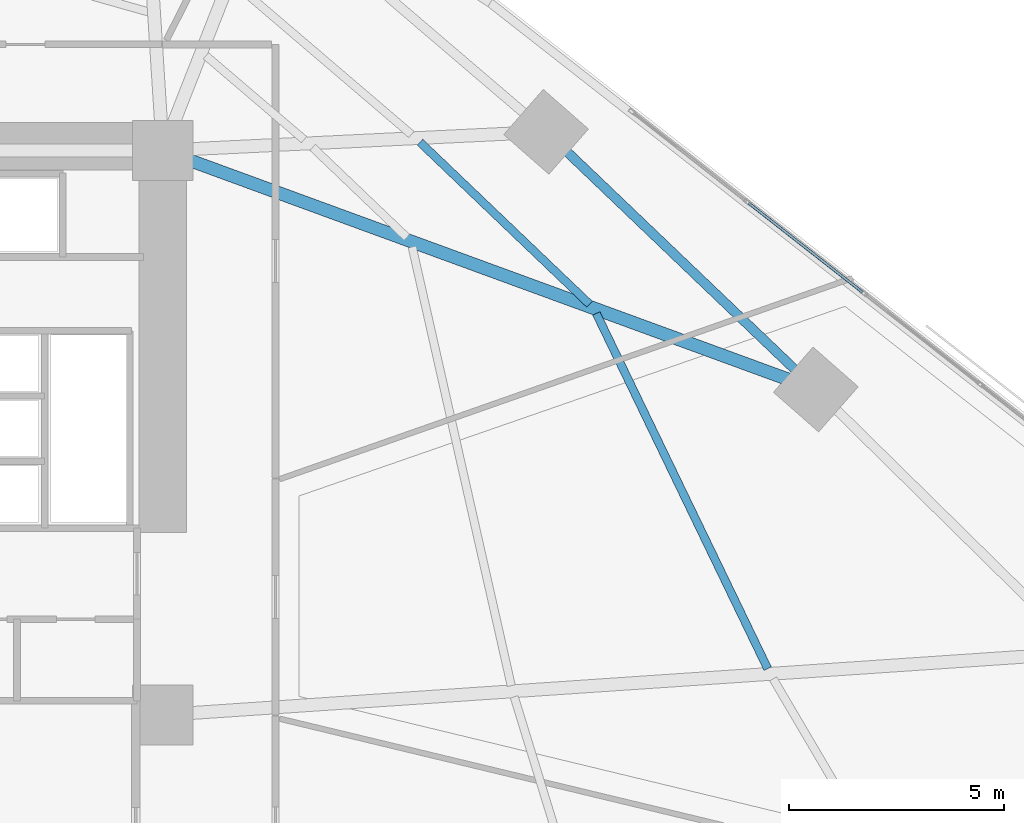
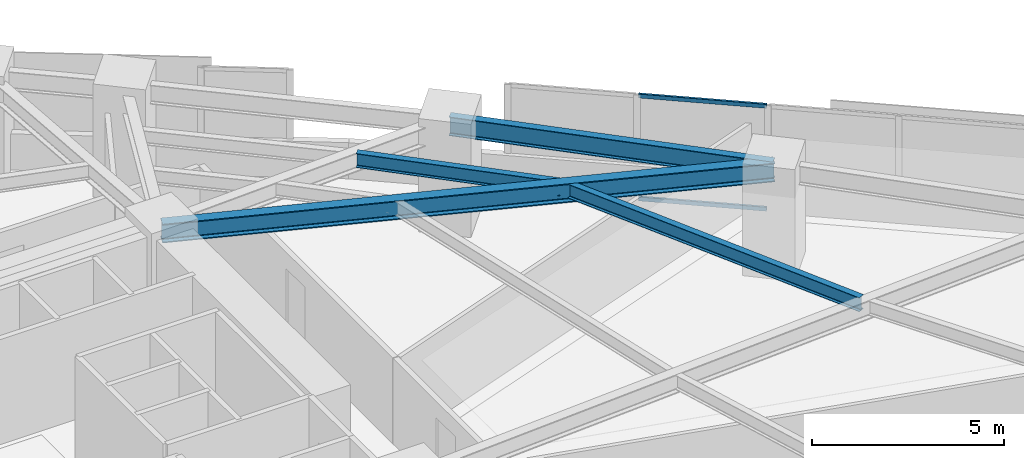
# One storey, part 6 of 16: 4 beams, 2 members, 1 element without a shape of its own.
"""IFC4 building model written with IfcOpenShell, lengths in metres."""

from ifc_helpers import new_model, si_unit, direction, frame, origin, origin_2d, place, context, subcontext, project, spatial, hollow_rectangle, i_section, extrude, material, material_profile, profile_set, type_object, element, aggregate, save


model = new_model("IFC4")

# Units and contexts
model_context = context("Model", 3, precision=1e-05, world=origin(), true_north=direction((0.0, 1.0)))
body_context = subcontext(model_context, "Body", "Model", "MODEL_VIEW")
ifc_project = project(units=[si_unit("LENGTHUNIT", "METRE"), si_unit("AREAUNIT", "SQUARE_METRE"), si_unit("VOLUMEUNIT", "CUBIC_METRE"), si_unit("PLANEANGLEUNIT", "RADIAN"), si_unit("MASSUNIT", "GRAM", prefix="KILO")], contexts=[model_context])

# Site, building, storey
site_placement = place(None, origin())
site = spatial("IfcSite", under=ifc_project, at=site_placement, CompositionType="ELEMENT")
building_placement = place(site_placement, origin())
building = spatial("IfcBuilding", under=site, at=building_placement, Name="Narakoshi Arena Tower", CompositionType="ELEMENT")
storey_placement = place(building_placement, frame((0.0, 0.0, 84.89990234375)))
storey = spatial("IfcBuildingStorey", under=building, at=storey_placement, Name="L22", CompositionType="ELEMENT", Elevation=84.89990234375)

# Beams
ifc_material_1 = material(Name="Structural steel S355J2", Category="steel")
ifc_material_profile_1 = material_profile(ifc_material_1, i_section(OverallWidth=0.219970703125, OverallDepth=0.60009765625, WebThickness=0.011962890625, FlangeThickness=0.01904296875, FilletRadius=0.02392578125, at=origin_2d()), Name="IPE600")
ifc_profile_set_1 = profile_set([ifc_material_profile_1], Name="Structural steel S355J2")
beam_type_1 = type_object("IfcBeamType", Name="BM-EDGE-600", PredefinedType="BEAM", material=ifc_profile_set_1)
beam_1_placement = place(storey_placement, frame((100.76318359375, 50.931640625, 3.0400390625), z_axis=(-0.723088904438, 0.690754975572, 0.0), x_axis=(-0.690754975572, -0.723088904438, 0.0)))
element("IfcBeam", 1, at=beam_1_placement, inside=storey, type_object=beam_type_1, Name="L22 Perimeter Edge Girder 07", PredefinedType="BEAM", context=body_context, shape_type="SweptSolid", body=[
    extrude(i_section(OverallWidth=0.219970703125, OverallDepth=0.60009765625, WebThickness=0.011962890625, FlangeThickness=0.01904296875, FilletRadius=0.02392578125, at=origin_2d()), origin(), (0.0, 0.0, 1.0), 8.690673828125),
])
ifc_material_profile_2 = material_profile(ifc_material_1, i_section(OverallWidth=0.300048828125, OverallDepth=0.60009765625, WebThickness=0.015380859375, FlangeThickness=0.030029296875, FilletRadius=0.027099609375, at=origin_2d()), Name="HE600B")
ifc_profile_set_2 = profile_set([ifc_material_profile_2], Name="Structural steel S355J2")
beam_type_2 = type_object("IfcBeamType", Name="BM-PRI-600", PredefinedType="BEAM", material=ifc_profile_set_2)
beam_2_placement = place(storey_placement, frame((85.550048828125, 56.5, 3.0400390625), z_axis=(0.939071487396, -0.343721895664, 0.0), x_axis=(0.343721895664, 0.939071487396, 0.0)))
element("IfcBeam", 2, at=beam_2_placement, inside=storey, type_object=beam_type_2, Name="L22 Radial Primary Floor Girder 07", PredefinedType="BEAM", context=body_context, shape_type="SweptSolid", body=[
    extrude(i_section(OverallWidth=0.300048828125, OverallDepth=0.60009765625, WebThickness=0.015380859375, FlangeThickness=0.030029296875, FilletRadius=0.027099609375, at=origin_2d()), origin(), (0.0, 0.0, 1.0), 16.2001953125),
])
ifc_material_profile_3 = material_profile(ifc_material_1, i_section(OverallWidth=0.18994140625, OverallDepth=0.449951171875, WebThickness=0.009521484375, FlangeThickness=0.0146484375, FilletRadius=0.02099609375, at=origin_2d()), Name="IPE450")
ifc_profile_set_3 = profile_set([ifc_material_profile_3], Name="Structural steel S355J2")
beam_type_3 = type_object("IfcBeamType", Name="BM-SEC-450", PredefinedType="JOIST", material=ifc_profile_set_3)
beam_3_placement = place(storey_placement, frame((99.6416015625, 44.428955078125, 3.114990234375), z_axis=(-0.434540970974, 0.900652066308, 0.0), x_axis=(-0.900652066308, -0.434540970974, 0.0)))
element("IfcBeam", 3, at=beam_3_placement, inside=storey, type_object=beam_type_3, Name="L22 Composite Secondary Floor Joist 04", PredefinedType="JOIST", context=body_context, shape_type="SweptSolid", body=[
    extrude(i_section(OverallWidth=0.18994140625, OverallDepth=0.449951171875, WebThickness=0.009521484375, FlangeThickness=0.0146484375, FilletRadius=0.02099609375, at=origin_2d()), origin(), (0.0, 0.0, 1.0), 9.187255859375),
])
beam_4_placement = place(storey_placement, frame((95.4931640625, 52.918212890625, 3.114990234375), z_axis=(-0.723113139165, 0.690729605538, 0.0), x_axis=(-0.690729605538, -0.723113139165, 0.0)))
element("IfcBeam", 4, at=beam_4_placement, inside=storey, type_object=beam_type_3, Name="L22 Composite Secondary Floor Joist 06", PredefinedType="JOIST", context=body_context, shape_type="SweptSolid", body=[
    extrude(i_section(OverallWidth=0.18994140625, OverallDepth=0.449951171875, WebThickness=0.009521484375, FlangeThickness=0.0146484375, FilletRadius=0.02099609375, at=origin_2d()), origin(), (0.0, 0.0, 1.0), 5.4658203125),
])

# Curtain wall, members
ifc_material_2 = material(Name="Anodised bronze aluminium 6063-T6", Category="aluminium")
curtain_wall_type = type_object("IfcCurtainWallType", Name="CW-HYP-LOW", PredefinedType="NOTDEFINED", material=ifc_material_2)
curtain_wall_placement = place(storey_placement, origin())
curtain_wall = element("IfcCurtainWall", 5, at=curtain_wall_placement, inside=storey, type_object=curtain_wall_type, Name="L22 Folded Hypotenuse Curtain Wall 1-1", PredefinedType="NOTDEFINED")
ifc_material_profile_4 = material_profile(ifc_material_2, hollow_rectangle(XDim=0.06494140625, YDim=0.1298828125, WallThickness=0.00390625, OuterFilletRadius=0.0048828125, at=origin_2d()), Name="TRN130x65x4")
ifc_profile_set_4 = profile_set([ifc_material_profile_4], Name="Anodised bronze aluminium 6063-T6")
member_type = type_object("IfcMemberType", Name="MEM-TRN-130", PredefinedType="USERDEFINED", material=ifc_profile_set_4)
member_1_placement = place(storey_placement, frame((101.851806640625, 53.196533203125, 0.03271484375), z_axis=(-0.787400998112, 0.616441131149, 0.0), x_axis=(-0.616441131149, -0.787400998112, 0.0)))
member_1 = element("IfcMember", 6, at=member_1_placement, type_object=member_type, Name="CW-01 transom 8.1", ObjectType="TRANSOM", PredefinedType="USERDEFINED", context=body_context, shape_type="SweptSolid", body=[
    extrude(hollow_rectangle(XDim=0.06494140625, YDim=0.1298828125, WallThickness=0.00390625, OuterFilletRadius=0.0048828125, at=origin_2d()), origin(), (0.0, 0.0, 1.0), 3.368896484375),
])
member_2_placement = place(storey_placement, frame((101.851806640625, 53.196533203125, 3.3076171875), z_axis=(-0.787400998112, 0.616441131149, 0.0), x_axis=(-0.616441131149, -0.787400998112, 0.0)))
member_2 = element("IfcMember", 7, at=member_2_placement, type_object=member_type, Name="CW-01 transom 8.2", ObjectType="TRANSOM", PredefinedType="USERDEFINED", context=body_context, shape_type="SweptSolid", body=[
    extrude(hollow_rectangle(XDim=0.06494140625, YDim=0.1298828125, WallThickness=0.00390625, OuterFilletRadius=0.0048828125, at=origin_2d()), origin(), (0.0, 0.0, 1.0), 3.368896484375),
])
aggregate(curtain_wall, [member_1, member_2])

save(model, "model.ifc")
